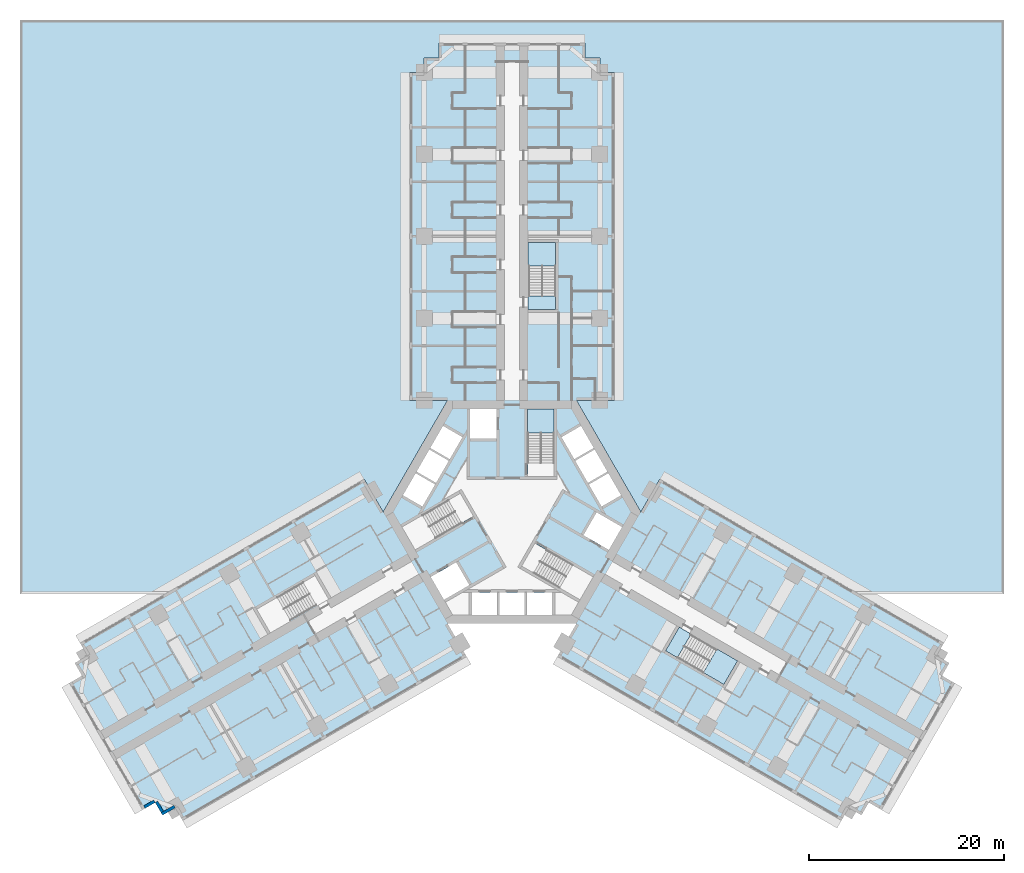
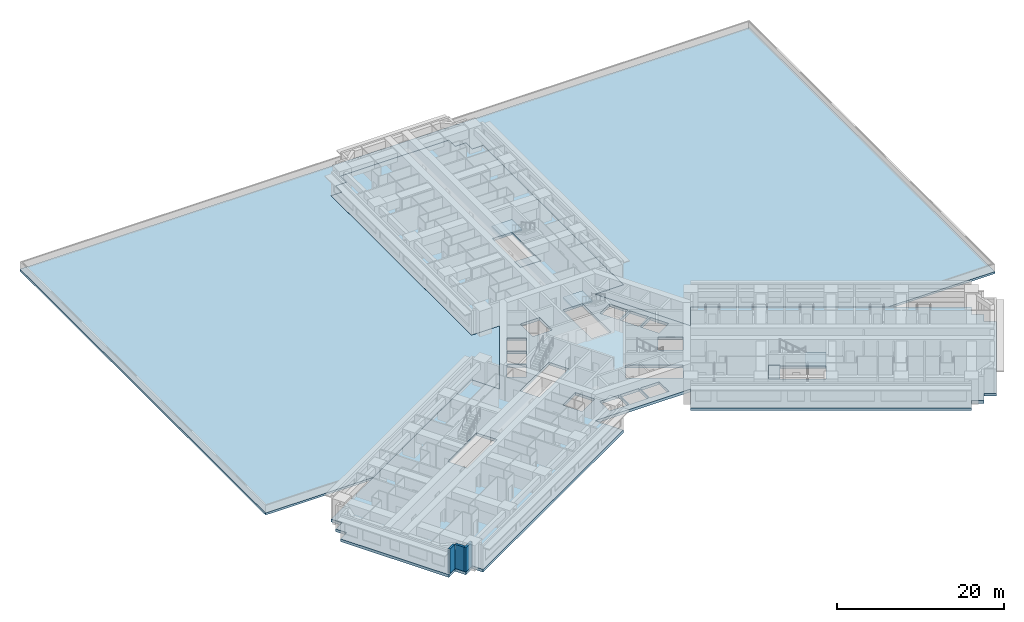
# One storey, part 2 of 18: 7 slabs, 3 walls, 3 elements without a shape of their own.
"""IFC4 building model written with IfcOpenShell, lengths in metres."""

from ifc_helpers import new_model, si_unit, direction, frame, frame_2d, origin, place, context, subcontext, project, spatial, polyline, rectangle, outline, extrude, material, layer, layer_set, type_object, element, aggregate, save


model = new_model("IFC4")

# Units and contexts
model_context = context("Model", 3, precision=1e-05, world=origin(), true_north=direction((0.0, 1.0)))
body_context = subcontext(model_context, "Body", "Model", "MODEL_VIEW")
ifc_project = project(units=[si_unit("LENGTHUNIT", "METRE"), si_unit("AREAUNIT", "SQUARE_METRE"), si_unit("VOLUMEUNIT", "CUBIC_METRE"), si_unit("PLANEANGLEUNIT", "RADIAN"), si_unit("MASSUNIT", "GRAM", prefix="KILO")], contexts=[model_context])

# Site, building, storey
site_placement = place(None, origin())
site = spatial("IfcSite", under=ifc_project, at=site_placement, CompositionType="ELEMENT")
building_placement = place(site_placement, origin())
building = spatial("IfcBuilding", under=site, at=building_placement, Name="Impinga Residences", CompositionType="ELEMENT")
storey_placement = place(building_placement, frame((0.0, 0.0, 26.0)))
storey = spatial("IfcBuildingStorey", under=building, at=storey_placement, Name="L05", CompositionType="ELEMENT", Elevation=26.0)

# Slabs
ifc_material_1 = material(Name="Concrete C60/75", Category="concrete")
ifc_layer_1 = layer(ifc_material_1, 0.39990234375)
ifc_layer_set_1 = layer_set([ifc_layer_1], Name="Concrete C60/75")
slab_type_1 = type_object("IfcSlabType", Name="FS4 first tower floor slab over the podium 400", PredefinedType="FLOOR", material=ifc_layer_set_1)
slab_1_placement = place(storey_placement, frame((0.0, 0.0, -0.39990234375)))
element("IfcSlab", 1, at=slab_1_placement, inside=storey, type_object=slab_type_1, Name="Floor slab FS4 L05", PredefinedType="FLOOR", context=body_context, shape_type="SweptSolid", body=[
    extrude(outline(polyline([(-34.49853515625, -30.31005859375), (-35.797607421875, -31.06005859375), (-36.547607421875, -29.760986328125), (-37.846435546875, -30.510986328125), (-45.346435546875, -17.5205078125), (-44.047607421875, -16.7705078125), (-44.797607421875, -15.471435546875), (-43.49853515625, -14.721435546875), (-44.24853515625, -13.422607421875), (-15.14990234375, 3.37744140625), (-13.199951171875, 0.0), (-6.60009765625, 11.431640625), (-10.5, 11.431640625), (-10.5, 45.031494140625), (-9.0, 45.031494140625), (-9.0, 46.531494140625), (-7.5, 46.531494140625), (-7.5, 48.031494140625), (7.5, 48.031494140625), (7.5, 46.531494140625), (9.0, 46.531494140625), (9.0, 45.031494140625), (10.5, 45.031494140625), (10.5, 11.431640625), (6.60009765625, 11.431640625), (13.199951171875, 0.0), (15.14990234375, 3.37744140625), (44.24853515625, -13.422607421875), (43.49853515625, -14.721435546875), (44.797607421875, -15.471435546875), (44.047607421875, -16.7705078125), (45.346435546875, -17.5205078125), (37.846435546875, -30.510986328125), (36.547607421875, -29.760986328125), (35.797607421875, -31.06005859375), (34.49853515625, -30.31005859375), (33.74853515625, -31.609130859375), (4.64990234375, -14.80908203125), (9.900146484375, -5.7158203125), (6.60009765625, -11.431640625), (-6.60009765625, -11.431640625), (-9.900146484375, -5.7158203125), (-4.64990234375, -14.80908203125), (-33.74853515625, -31.609130859375), (-34.49853515625, -30.31005859375)]), holes=[polyline([(-21.391357421875, -7.2119140625), (-26.154541015625, -9.9619140625), (-24.8046875, -12.30029296875), (-20.04150390625, -9.55029296875), (-19.991455078125, -9.63671875), (-19.991455078125, -9.63671875), (-19.966552734375, -9.68017578125), (-18.754150390625, -8.980224609375), (-18.8291015625, -8.850341796875), (-18.8291015625, -8.850341796875), (-20.178955078125, -6.511962890625), (-21.391357421875, -7.2119140625), (-21.391357421875, -7.2119140625)]), polyline([(-1.5, -8.2314453125), (-4.10009765625, -8.2314453125), (-4.10009765625, -10.531494140625), (-1.5, -10.531494140625), (-1.5, -8.2314453125)]), polyline([(1.300048828125, -8.2314453125), (-1.300048828125, -8.2314453125), (-1.300048828125, -10.531494140625), (1.300048828125, -10.531494140625), (1.300048828125, -8.2314453125)]), polyline([(1.5, -8.2314453125), (1.5, -10.531494140625), (4.10009765625, -10.531494140625), (4.10009765625, -8.2314453125), (1.5, -8.2314453125)]), polyline([(-5.72119140625, -5.150634765625), (-8.320556640625, -6.6513671875), (-6.970458984375, -8.98974609375), (-4.37109375, -7.489013671875), (-5.72119140625, -5.150634765625)]), polyline([(-3.943603515625, -0.429443359375), (-5.293701171875, 1.908935546875), (-11.2705078125, -1.541748046875), (-9.920654296875, -3.880126953125), (-3.943603515625, -0.429443359375)]), polyline([(-9.1787109375, 0.56494140625), (-7.878662109375, 2.816650390625), (-9.87060546875, 3.966796875), (-11.170654296875, 1.715087890625), (-9.1787109375, 0.56494140625)]), polyline([(-6.478759765625, 5.24169921875), (-8.470458984375, 6.3916015625), (-9.7705078125, 4.139892578125), (-7.77880859375, 2.989990234375), (-6.478759765625, 5.24169921875)]), polyline([(-6.378662109375, 5.414794921875), (-5.07861328125, 7.66650390625), (-7.070556640625, 8.81640625), (-8.37060546875, 6.564697265625), (-6.378662109375, 5.414794921875)]), polyline([(-4.300048828125, 7.530029296875), (-1.60009765625, 7.530029296875), (-1.60009765625, 10.531494140625), (-4.300048828125, 10.531494140625), (-4.300048828125, 7.530029296875)]), polyline([(15.72900390625, -14.219482421875), (21.70458984375, -17.669677734375), (23.0546875, -15.331298828125), (18.29150390625, -12.581298828125), (18.366455078125, -12.451416015625), (17.154052734375, -11.75146484375), (17.129150390625, -11.794677734375), (17.129150390625, -11.794677734375), (15.72900390625, -14.219482421875)]), polyline([(0.99365234375, -5.538818359375), (6.970458984375, -8.98974609375), (8.320556640625, -6.6513671875), (2.34375, -3.20068359375), (0.99365234375, -5.538818359375)]), polyline([(8.671142578125, -0.041015625), (7.3212890625, -2.37939453125), (9.920654296875, -3.880126953125), (11.2705078125, -1.541748046875), (8.671142578125, -0.041015625)]), polyline([(7.878662109375, 2.816650390625), (9.1787109375, 0.56494140625), (11.170654296875, 1.715087890625), (9.87060546875, 3.966796875), (7.878662109375, 2.816650390625)]), polyline([(7.77880859375, 2.989990234375), (9.7705078125, 4.139892578125), (8.470458984375, 6.3916015625), (6.478759765625, 5.24169921875), (7.77880859375, 2.989990234375)]), polyline([(1.60009765625, 3.6298828125), (4.300048828125, 3.6298828125), (4.300048828125, 10.531494140625), (1.60009765625, 10.531494140625), (1.60009765625, 3.6298828125)]), polyline([(5.07861328125, 7.66650390625), (6.378662109375, 5.414794921875), (8.37060546875, 6.564697265625), (7.070556640625, 8.81640625), (5.07861328125, 7.66650390625)]), polyline([(1.64990234375, 22.131591796875), (1.60009765625, 22.131591796875), (1.60009765625, 20.7314453125), (1.64990234375, 20.7314453125), (1.75, 20.7314453125), (4.449951171875, 20.7314453125), (4.449951171875, 22.131591796875), (4.449951171875, 27.631591796875), (1.75, 27.631591796875), (1.75, 22.131591796875), (1.64990234375, 22.131591796875)])]), origin(), (0.0, 0.0, 1.0), 0.39990234375),
])
ifc_layer_2 = layer(ifc_material_1, 0.300048828125)
ifc_layer_set_2 = layer_set([ifc_layer_2], Name="Concrete C60/75")
slab_type_2 = type_object("IfcSlabType", Name="GS1 podium green roof slab 300", PredefinedType="ROOF", material=ifc_layer_set_2)
slab_2_placement = place(storey_placement, frame((0.0, 0.0, -0.300048828125)))
element("IfcSlab", 2, at=slab_2_placement, inside=storey, type_object=slab_type_2, Name="Maintenance green roof GS1 L05", PredefinedType="ROOF", context=body_context, shape_type="SweptSolid", body=[
    extrude(outline(polyline([(-50.39990234375, -8.39990234375), (-50.39990234375, 50.39990234375), (50.39990234375, 50.39990234375), (50.39990234375, -8.39990234375), (35.55126953125, -8.39990234375), (15.150390625, 3.37841796875), (15.150390625, 3.37841796875), (15.150390625, 3.37841796875), (15.150146484375, 3.37841796875), (15.150146484375, 3.37841796875), (15.150146484375, 3.37841796875), (15.14990234375, 3.37841796875), (15.14990234375, 3.37841796875), (15.149658203125, 3.37841796875), (15.149658203125, 3.37841796875), (15.149658203125, 3.37841796875), (15.1494140625, 3.37841796875), (15.1494140625, 3.378173828125), (15.1494140625, 3.378173828125), (15.149169921875, 3.378173828125), (15.149169921875, 3.378173828125), (15.149169921875, 3.3779296875), (13.199951171875, 0.001953125), (6.601806640625, 11.430419921875), (10.5, 11.430419921875), (10.5, 11.430419921875), (10.500244140625, 11.4306640625), (10.500244140625, 11.4306640625), (10.50048828125, 11.4306640625), (10.50048828125, 11.4306640625), (10.50048828125, 11.4306640625), (10.500732421875, 11.4306640625), (10.500732421875, 11.430908203125), (10.500732421875, 11.430908203125), (10.500732421875, 11.430908203125), (10.5009765625, 11.43115234375), (10.5009765625, 11.43115234375), (10.5009765625, 11.43115234375), (10.5009765625, 11.431396484375), (10.5009765625, 11.431396484375), (10.5009765625, 11.431640625), (10.5009765625, 45.031494140625), (10.5009765625, 45.03173828125), (10.5009765625, 45.03173828125), (10.5009765625, 45.03173828125), (10.5009765625, 45.031982421875), (10.5009765625, 45.031982421875), (10.500732421875, 45.031982421875), (10.500732421875, 45.0322265625), (10.500732421875, 45.0322265625), (10.500732421875, 45.0322265625), (10.50048828125, 45.032470703125), (10.50048828125, 45.032470703125), (10.50048828125, 45.032470703125), (10.500244140625, 45.032470703125), (10.500244140625, 45.032470703125), (10.5, 45.032470703125), (10.5, 45.032470703125), (9.0009765625, 45.032470703125), (9.0009765625, 46.531494140625), (9.0009765625, 46.53173828125), (9.0009765625, 46.53173828125), (9.0009765625, 46.53173828125), (9.0009765625, 46.531982421875), (9.0009765625, 46.531982421875), (9.000732421875, 46.531982421875), (9.000732421875, 46.5322265625), (9.000732421875, 46.5322265625), (9.000732421875, 46.5322265625), (9.00048828125, 46.532470703125), (9.00048828125, 46.532470703125), (9.00048828125, 46.532470703125), (9.000244140625, 46.532470703125), (9.000244140625, 46.532470703125), (9.0, 46.532470703125), (9.0, 46.532470703125), (7.5009765625, 46.532470703125), (7.5009765625, 48.031494140625), (7.5009765625, 48.03173828125), (7.5009765625, 48.03173828125), (7.5009765625, 48.03173828125), (7.5009765625, 48.031982421875), (7.5009765625, 48.031982421875), (7.500732421875, 48.031982421875), (7.500732421875, 48.0322265625), (7.500732421875, 48.0322265625), (7.500732421875, 48.0322265625), (7.50048828125, 48.032470703125), (7.50048828125, 48.032470703125), (7.50048828125, 48.032470703125), (7.500244140625, 48.032470703125), (7.500244140625, 48.032470703125), (7.5, 48.032470703125), (7.5, 48.032470703125), (-7.5, 48.032470703125), (-7.5, 48.032470703125), (-7.500244140625, 48.032470703125), (-7.500244140625, 48.032470703125), (-7.50048828125, 48.032470703125), (-7.50048828125, 48.032470703125), (-7.50048828125, 48.032470703125), (-7.500732421875, 48.0322265625), (-7.500732421875, 48.0322265625), (-7.500732421875, 48.0322265625), (-7.500732421875, 48.031982421875), (-7.5009765625, 48.031982421875), (-7.5009765625, 48.031982421875), (-7.5009765625, 48.03173828125), (-7.5009765625, 48.03173828125), (-7.5009765625, 48.03173828125), (-7.5009765625, 48.031494140625), (-7.5009765625, 46.532470703125), (-9.0, 46.532470703125), (-9.0, 46.532470703125), (-9.000244140625, 46.532470703125), (-9.000244140625, 46.532470703125), (-9.00048828125, 46.532470703125), (-9.00048828125, 46.532470703125), (-9.00048828125, 46.532470703125), (-9.000732421875, 46.5322265625), (-9.000732421875, 46.5322265625), (-9.000732421875, 46.5322265625), (-9.000732421875, 46.531982421875), (-9.0009765625, 46.531982421875), (-9.0009765625, 46.531982421875), (-9.0009765625, 46.53173828125), (-9.0009765625, 46.53173828125), (-9.0009765625, 46.53173828125), (-9.0009765625, 46.531494140625), (-9.0009765625, 45.032470703125), (-10.5, 45.032470703125), (-10.5, 45.032470703125), (-10.500244140625, 45.032470703125), (-10.500244140625, 45.032470703125), (-10.50048828125, 45.032470703125), (-10.50048828125, 45.032470703125), (-10.50048828125, 45.032470703125), (-10.500732421875, 45.0322265625), (-10.500732421875, 45.0322265625), (-10.500732421875, 45.0322265625), (-10.500732421875, 45.031982421875), (-10.5009765625, 45.031982421875), (-10.5009765625, 45.031982421875), (-10.5009765625, 45.03173828125), (-10.5009765625, 45.03173828125), (-10.5009765625, 45.03173828125), (-10.5009765625, 45.031494140625), (-10.5009765625, 11.431640625), (-10.5009765625, 11.431396484375), (-10.5009765625, 11.431396484375), (-10.5009765625, 11.43115234375), (-10.5009765625, 11.43115234375), (-10.5009765625, 11.43115234375), (-10.500732421875, 11.430908203125), (-10.500732421875, 11.430908203125), (-10.500732421875, 11.430908203125), (-10.500732421875, 11.4306640625), (-10.50048828125, 11.4306640625), (-10.50048828125, 11.4306640625), (-10.50048828125, 11.4306640625), (-10.500244140625, 11.4306640625), (-10.500244140625, 11.4306640625), (-10.5, 11.430419921875), (-10.5, 11.430419921875), (-6.601806640625, 11.430419921875), (-13.199951171875, 0.001953125), (-15.149169921875, 3.3779296875), (-15.149169921875, 3.378173828125), (-15.149169921875, 3.378173828125), (-15.1494140625, 3.378173828125), (-15.1494140625, 3.378173828125), (-15.1494140625, 3.37841796875), (-15.149658203125, 3.37841796875), (-15.149658203125, 3.37841796875), (-15.149658203125, 3.37841796875), (-15.14990234375, 3.37841796875), (-15.14990234375, 3.37841796875), (-15.150146484375, 3.37841796875), (-15.150146484375, 3.37841796875), (-15.150146484375, 3.37841796875), (-15.150390625, 3.37841796875), (-15.150390625, 3.37841796875), (-15.150390625, 3.37841796875), (-35.55126953125, -8.39990234375), (-50.39990234375, -8.39990234375)])), origin(), (0.0, 0.0, 1.0), 0.300048828125),
])

# Stair, slab
ifc_material_2 = material(Name="Concrete C40/50", Category="concrete")
stair_type_1 = type_object("IfcStairType", Name="STR core stair 3750 storey, 24 risers", PredefinedType="HALF_TURN_STAIR", material=ifc_material_2)
stair_1_placement = place(storey_placement, origin())
stair_1 = element("IfcStair", 3, at=stair_1_placement, inside=storey, type_object=stair_type_1, Name="Stair ST1 L05", PredefinedType="HALF_TURN_STAIR")
ifc_layer_3 = layer(ifc_material_2, 0.199951171875)
ifc_layer_set_3 = layer_set([ifc_layer_3], Name="Concrete C40/50")
slab_type_3 = type_object("IfcSlabType", Name="LS1 stair landing 200", PredefinedType="LANDING", material=ifc_layer_set_3)
slab_3_placement = place(storey_placement, frame((0.0, 0.0, 1.675048828125)))
slab_3 = element("IfcSlab", 4, at=slab_3_placement, type_object=slab_type_3, Name="ST1 landing 2", PredefinedType="LANDING", context=body_context, shape_type="SweptSolid", body=[
    extrude(outline(polyline([(1.60009765625, 8.10009765625), (4.300048828125, 8.10009765625), (4.300048828125, 10.531494140625), (1.60009765625, 10.531494140625), (1.60009765625, 8.10009765625)])), origin(), (0.0, 0.0, 1.0), 0.199951171875),
])
aggregate(stair_1, [slab_3])

# Stair, slabs
stair_type_2 = type_object("IfcStairType", Name="STR wing stair 3750 storey, 24 risers", PredefinedType="HALF_TURN_STAIR", material=ifc_material_2)
stair_2_placement = place(storey_placement, origin())
stair_2 = element("IfcStair", 5, at=stair_2_placement, inside=storey, type_object=stair_type_2, Name="Stair WS1 L05", PredefinedType="HALF_TURN_STAIR")
slab_4_placement = place(storey_placement, frame((0.0, 0.0, -0.199951171875)))
slab_4 = element("IfcSlab", 6, at=slab_4_placement, type_object=slab_type_3, Name="WS1 landing 1", PredefinedType="LANDING", context=body_context, shape_type="SweptSolid", body=[
    extrude(outline(polyline([(1.64990234375, 20.7314453125), (4.449951171875, 20.7314453125), (4.449951171875, 22.1416015625), (1.64990234375, 22.1416015625), (1.64990234375, 20.7314453125)])), origin(), (0.0, 0.0, 1.0), 0.199951171875),
])
slab_5_placement = place(storey_placement, frame((0.0, 0.0, 1.675048828125)))
slab_5 = element("IfcSlab", 7, at=slab_5_placement, type_object=slab_type_3, Name="WS1 landing 2", PredefinedType="LANDING", context=body_context, shape_type="SweptSolid", body=[
    extrude(outline(polyline([(1.64990234375, 25.201416015625), (4.449951171875, 25.201416015625), (4.449951171875, 27.631591796875), (1.64990234375, 27.631591796875), (1.64990234375, 25.201416015625)])), origin(), (0.0, 0.0, 1.0), 0.199951171875),
])
aggregate(stair_2, [slab_4, slab_5])

stair_3_placement = place(storey_placement, origin())
stair_3 = element("IfcStair", 8, at=stair_3_placement, inside=storey, type_object=stair_type_2, Name="Stair WS3 L05", PredefinedType="HALF_TURN_STAIR")
slab_6_placement = place(storey_placement, frame((0.0, 0.0, -0.199951171875)))
slab_6 = element("IfcSlab", 9, at=slab_6_placement, type_object=slab_type_3, Name="WS3 landing 1", PredefinedType="LANDING", context=body_context, shape_type="SweptSolid", body=[
    extrude(outline(polyline([(17.129150390625, -11.794677734375), (15.72900390625, -14.219482421875), (16.9501953125, -14.924560546875), (18.35009765625, -12.499755859375), (17.129150390625, -11.794677734375)])), origin(), (0.0, 0.0, 1.0), 0.199951171875),
])
slab_7_placement = place(storey_placement, frame((0.0, 0.0, 1.675048828125)))
slab_7 = element("IfcSlab", 10, at=slab_7_placement, type_object=slab_type_3, Name="WS3 landing 2", PredefinedType="LANDING", context=body_context, shape_type="SweptSolid", body=[
    extrude(outline(polyline([(21.000244140625, -14.02978515625), (19.60009765625, -16.45458984375), (21.70458984375, -17.669677734375), (23.1044921875, -15.24462890625), (21.000244140625, -14.02978515625)])), origin(), (0.0, 0.0, 1.0), 0.199951171875),
])
aggregate(stair_3, [slab_6, slab_7])

# Walls
ifc_material_3 = material(Name="Terracotta rainscreen on blockwork", Category="masonry")
ifc_layer_4 = layer(ifc_material_3, 0.300048828125)
ifc_layer_set_4 = layer_set([ifc_layer_4], Name="EW1 external wall, terracotta rainscreen on blockwork 300")
wall_type = type_object("IfcWallType", Name="EW1 external wall, terracotta rainscreen on blockwork 300", PredefinedType="SOLIDWALL", material=ifc_layer_set_4)
wall_1_placement = place(storey_placement, frame((-34.573486328125, -30.18017578125, 0.0), z_axis=(0.0, 0.0, 1.0), x_axis=(-0.866031096941, -0.499990139034, 0.0)))
element("IfcWall", 11, at=wall_1_placement, inside=storey, type_object=wall_type, Name="External wall EW1 L05", PredefinedType="SOLIDWALL", context=body_context, shape_type="SweptSolid", body=[
    extrude(rectangle(XDim=1.5, YDim=0.300048828125, at=frame_2d((0.75, 0.0))), origin(), (0.0, 0.0, 1.0), 3.530029296875),
])
wall_2_placement = place(storey_placement, frame((-35.817626953125, -30.72509765625, 0.0), z_axis=(0.0, 0.0, 1.0), x_axis=(-0.499969057507, 0.866043267704, 0.0)))
element("IfcWall", 12, at=wall_2_placement, inside=storey, type_object=wall_type, Name="External wall EW1 L05", PredefinedType="SOLIDWALL", context=body_context, shape_type="SweptSolid", body=[
    extrude(rectangle(XDim=1.19970703125, YDim=0.300048828125, at=frame_2d((0.599853515625, 0.0))), origin(), (0.0, 0.0, 1.0), 3.530029296875),
])
wall_3_placement = place(storey_placement, frame((-36.626708984375, -29.633544921875, 0.0), z_axis=(0.0, 0.0, 1.0), x_axis=(-0.866059708757, -0.499940577336, 0.0)))
element("IfcWall", 13, at=wall_3_placement, inside=storey, type_object=wall_type, Name="External wall EW1 L05", PredefinedType="SOLIDWALL", context=body_context, shape_type="SweptSolid", body=[
    extrude(rectangle(XDim=1.195068359375, YDim=0.300048828125, at=frame_2d((0.59765625, 0.0))), origin(), (0.0, 0.0, 1.0), 3.530029296875),
])

save(model, "model.ifc")
